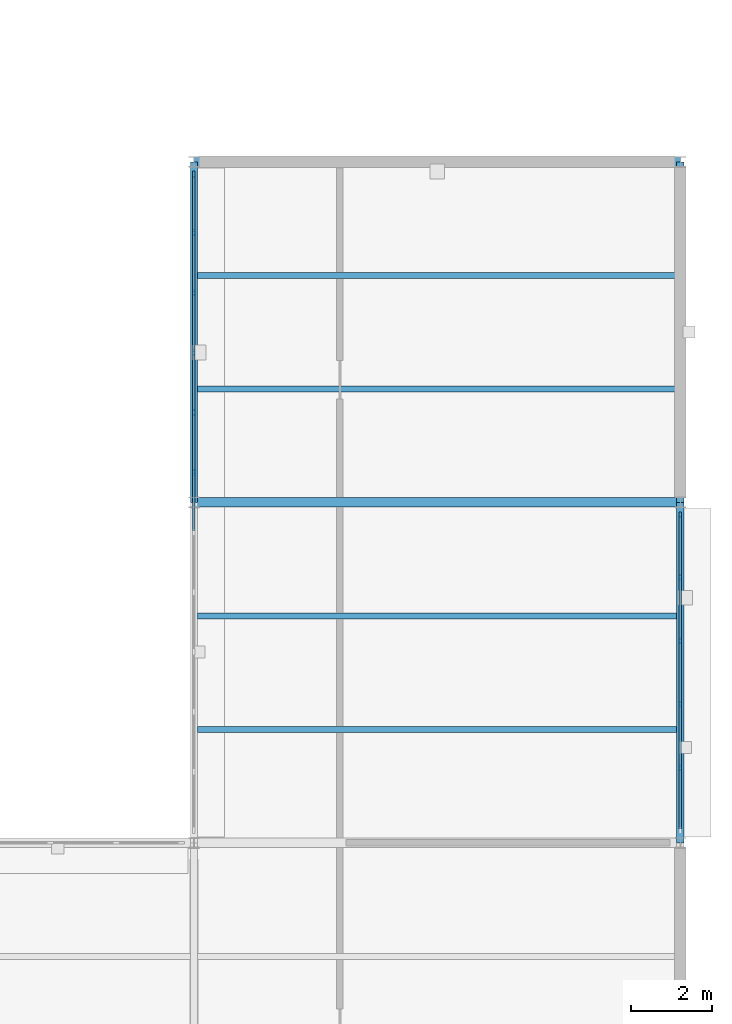
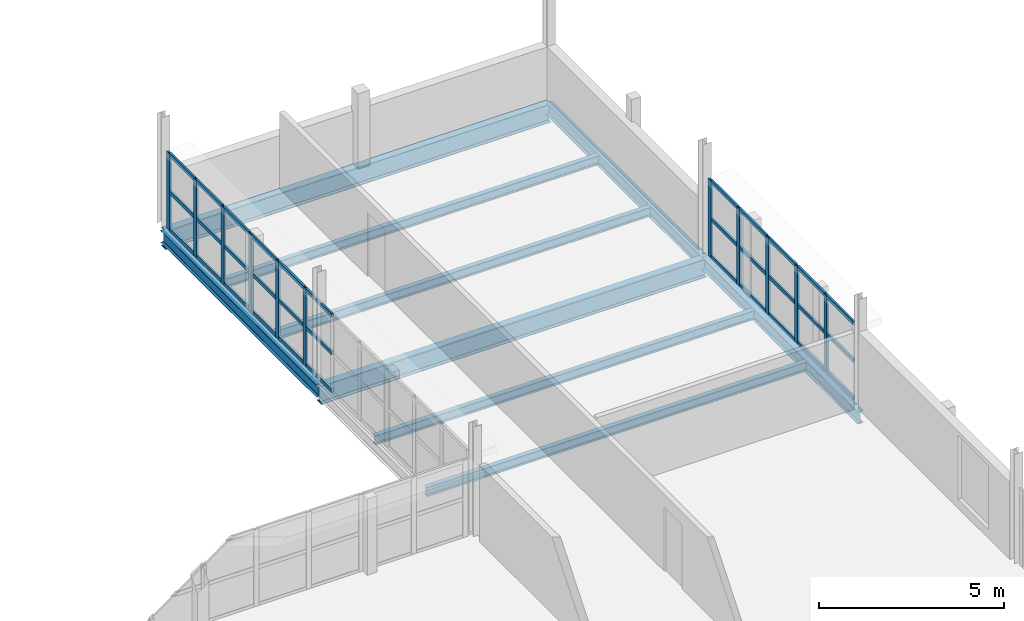
# One storey, part 44 of 79: 44 members, 9 beams, 2 elements without a shape of their own.
"""IFC4 building model written with IfcOpenShell, lengths in metres."""

from ifc_helpers import new_model, si_unit, direction, frame, origin, origin_2d, place, context, subcontext, project, spatial, rectangle, i_section, extrude, material, layer, layer_set, material_profile, profile_set, type_object, element, aggregate, save


model = new_model("IFC4")

# Units and contexts
model_context = context("Model", 3, precision=1e-05, world=origin(), true_north=direction((0.0, 1.0)))
body_context = subcontext(model_context, "Body", "Model", "MODEL_VIEW")
ifc_project = project(units=[si_unit("LENGTHUNIT", "METRE"), si_unit("AREAUNIT", "SQUARE_METRE"), si_unit("VOLUMEUNIT", "CUBIC_METRE"), si_unit("PLANEANGLEUNIT", "RADIAN"), si_unit("MASSUNIT", "GRAM", prefix="KILO"), si_unit("THERMODYNAMICTEMPERATUREUNIT", "KELVIN"), si_unit("POWERUNIT", "WATT")], contexts=[model_context])

# Site, building, storey
site_placement = place(None, origin())
site = spatial("IfcSite", under=ifc_project, at=site_placement, CompositionType="ELEMENT")
building_placement = place(site_placement, origin())
building = spatial("IfcBuilding", under=site, at=building_placement, Name="Tembeka Court Mobility Hub", CompositionType="ELEMENT")
storey_placement = place(building_placement, frame((0.0, 0.0, 9.0)))
storey = spatial("IfcBuildingStorey", under=building, at=storey_placement, Name="L02", CompositionType="ELEMENT", Elevation=9.0)

# Beams
ifc_material_1 = material(Name="Steel S355", Category="steel")
ifc_material_profile_1 = material_profile(ifc_material_1, i_section(OverallWidth=0.177978515625, OverallDepth=0.406005859375, WebThickness=0.0078125, FlangeThickness=0.0126953125, FilletRadius=0.01025390625, at=origin_2d()), Name="UKB 406x178x60")
ifc_profile_set_1 = profile_set([ifc_material_profile_1], Name="Steel S355")
beam_type_1 = type_object("IfcBeamType", Name="BM-B02", PredefinedType="BEAM", material=ifc_profile_set_1)
beam_1_placement = place(storey_placement, frame((164.39990234375, 55.199951171875, -0.39306640625), z_axis=(0.0, 1.0, 0.0), x_axis=(-1.0, 0.0, 0.0)))
element("IfcBeam", 1, at=beam_1_placement, inside=storey, type_object=beam_type_1, Name="Beam B02 (BM-L02-Y1432)", PredefinedType="BEAM", context=body_context, shape_type="SweptSolid", body=[
    extrude(i_section(OverallWidth=0.177978515625, OverallDepth=0.406005859375, WebThickness=0.0078125, FlangeThickness=0.0126953125, FilletRadius=0.01025390625, at=origin_2d()), origin(), (0.0, 0.0, 1.0), 8.400146484375),
])
beam_2_placement = place(storey_placement, frame((176.39990234375, 46.800048828125, -0.39306640625), z_axis=(0.0, 1.0, 0.0), x_axis=(-1.0, 0.0, 0.0)))
element("IfcBeam", 2, at=beam_2_placement, inside=storey, type_object=beam_type_1, Name="Beam B02 (BM-L02-Y1437)", PredefinedType="BEAM", context=body_context, shape_type="SweptSolid", body=[
    extrude(i_section(OverallWidth=0.177978515625, OverallDepth=0.406005859375, WebThickness=0.0078125, FlangeThickness=0.0126953125, FilletRadius=0.01025390625, at=origin_2d()), origin(), (0.0, 0.0, 1.0), 8.39990234375),
])
beam_3_placement = place(storey_placement, frame((176.39990234375, 55.199951171875, -0.39306640625), z_axis=(0.0, 1.0, 0.0), x_axis=(-1.0, 0.0, 0.0)))
element("IfcBeam", 3, at=beam_3_placement, inside=storey, type_object=beam_type_1, Name="Beam B02 (BM-L02-Y1438)", PredefinedType="BEAM", context=body_context, shape_type="SweptSolid", body=[
    extrude(i_section(OverallWidth=0.177978515625, OverallDepth=0.406005859375, WebThickness=0.0078125, FlangeThickness=0.0126953125, FilletRadius=0.01025390625, at=origin_2d()), origin(), (0.0, 0.0, 1.0), 8.400146484375),
])
ifc_material_profile_2 = material_profile(ifc_material_1, i_section(OverallWidth=0.22900390625, OverallDepth=0.612060546875, WebThickness=0.011962890625, FlangeThickness=0.01953125, FilletRadius=0.0126953125, at=origin_2d()), Name="UKB 610x229x125")
ifc_profile_set_2 = profile_set([ifc_material_profile_2], Name="Steel S355")
beam_type_2 = type_object("IfcBeamType", Name="BM-G02", PredefinedType="USERDEFINED", material=ifc_profile_set_2)
for number, where, z_axis, x_axis, name in (
    (4, (164.39990234375, 55.199951171875, -0.49609375), (1.0, 0.0, 0.0), (0.0, 1.0, 0.0), "Beam G02 (BM-L02-X1250)"),
    (5, (164.39990234375, 63.60009765625, -0.49609375), (1.0, 0.0, 0.0), (0.0, 1.0, 0.0), "Beam G02 (BM-L02-X1262)"),
):
    element("IfcBeam", number, at=place(storey_placement, frame(where, z_axis=z_axis, x_axis=x_axis)), inside=storey, type_object=beam_type_2, Name=name, ObjectType="GIRDER", PredefinedType="USERDEFINED", context=body_context, shape_type="SweptSolid", body=[
        extrude(i_section(OverallWidth=0.22900390625, OverallDepth=0.612060546875, WebThickness=0.011962890625, FlangeThickness=0.01953125, FilletRadius=0.0126953125, at=origin_2d()), origin(), (0.0, 0.0, 1.0), 12.0),
    ])
ifc_material_profile_3 = material_profile(ifc_material_1, i_section(OverallWidth=0.14990234375, OverallDepth=0.300048828125, WebThickness=0.007080078125, FlangeThickness=0.0107421875, FilletRadius=0.014892578125, at=origin_2d()), Name="IPE 300")
ifc_profile_set_3 = profile_set([ifc_material_profile_3], Name="Steel S355")
beam_type_3 = type_object("IfcBeamType", Name="BM-J04", PredefinedType="JOIST", material=ifc_profile_set_3)
for number, where, z_axis, x_axis, name in (
    (6, (164.48388671875, 49.60009765625, -0.340087890625), (1.0, 0.0, 0.0), (0.0, 1.0, 0.0), "Beam J04 (JST-L02-1678)"),
    (7, (164.48388671875, 52.39990234375, -0.340087890625), (1.0, 0.0, 0.0), (0.0, 1.0, 0.0), "Beam J04 (JST-L02-1679)"),
    (8, (164.48388671875, 58.0, -0.340087890625), (1.0, 0.0, 0.0), (0.0, 1.0, 0.0), "Beam J04 (JST-L02-1680)"),
    (9, (164.48388671875, 60.800048828125, -0.340087890625), (1.0, 0.0, 0.0), (0.0, 1.0, 0.0), "Beam J04 (JST-L02-1681)"),
):
    element("IfcBeam", number, at=place(storey_placement, frame(where, z_axis=z_axis, x_axis=x_axis)), inside=storey, type_object=beam_type_3, Name=name, PredefinedType="JOIST", context=body_context, shape_type="SweptSolid", body=[
        extrude(i_section(OverallWidth=0.14990234375, OverallDepth=0.300048828125, WebThickness=0.007080078125, FlangeThickness=0.0107421875, FilletRadius=0.014892578125, at=origin_2d()), origin(), (0.0, 0.0, 1.0), 11.83203125),
    ])

# Curtain wall, members
ifc_material_2 = material(Name="Anodised aluminium 6063-T6", Category="aluminium")
ifc_layer_1 = layer(ifc_material_2, 0.159912109375)
ifc_layer_set_1 = layer_set([ifc_layer_1], Name="Anodised aluminium 6063-T6")
curtain_wall_type_1 = type_object("IfcCurtainWallType", Name="CW-SYS45", PredefinedType="USERDEFINED", material=ifc_layer_set_1)
curtain_wall_1_placement = place(storey_placement, origin())
curtain_wall_1 = element("IfcCurtainWall", 10, at=curtain_wall_1_placement, inside=storey, type_object=curtain_wall_type_1, Name="Unitised curtain wall CW45 (CW-L02-126)", ObjectType="UNITISED GLAZING", PredefinedType="USERDEFINED")
ifc_material_profile_4 = material_profile(ifc_material_2, rectangle(XDim=0.06494140625, YDim=0.159912109375, at=origin_2d()), Name="ALU-MUL 65x160")
ifc_profile_set_4 = profile_set([ifc_material_profile_4], Name="Anodised aluminium 6063-T6")
member_type_1 = type_object("IfcMemberType", Name="CW-MUL01", PredefinedType="MULLION", material=ifc_profile_set_4)
member_1_placement = place(storey_placement, frame((176.39990234375, 48.64794921875, 0.0), z_axis=(0.0, 0.0, 1.0), x_axis=(-1.0, 0.0, 0.0)))
member_1 = element("IfcMember", 11, at=member_1_placement, type_object=member_type_1, Name="CW45 mullion 2", PredefinedType="MULLION", context=body_context, shape_type="SweptSolid", body=[
    extrude(rectangle(XDim=0.06494140625, YDim=0.159912109375, at=origin_2d()), origin(), (0.0, 0.0, 1.0), 2.534912109375),
])
member_2_placement = place(storey_placement, frame((176.39990234375, 50.216064453125, 0.0), z_axis=(0.0, 0.0, 1.0), x_axis=(-1.0, 0.0, 0.0)))
member_2 = element("IfcMember", 12, at=member_2_placement, type_object=member_type_1, Name="CW45 mullion 3", PredefinedType="MULLION", context=body_context, shape_type="SweptSolid", body=[
    extrude(rectangle(XDim=0.06494140625, YDim=0.159912109375, at=origin_2d()), origin(), (0.0, 0.0, 1.0), 2.534912109375),
])
member_3_placement = place(storey_placement, frame((176.39990234375, 51.783935546875, 0.0), z_axis=(0.0, 0.0, 1.0), x_axis=(-1.0, 0.0, 0.0)))
member_3 = element("IfcMember", 13, at=member_3_placement, type_object=member_type_1, Name="CW45 mullion 4", PredefinedType="MULLION", context=body_context, shape_type="SweptSolid", body=[
    extrude(rectangle(XDim=0.06494140625, YDim=0.159912109375, at=origin_2d()), origin(), (0.0, 0.0, 1.0), 2.534912109375),
])
member_4_placement = place(storey_placement, frame((176.39990234375, 53.35205078125, 0.0), z_axis=(0.0, 0.0, 1.0), x_axis=(-1.0, 0.0, 0.0)))
member_4 = element("IfcMember", 14, at=member_4_placement, type_object=member_type_1, Name="CW45 mullion 5", PredefinedType="MULLION", context=body_context, shape_type="SweptSolid", body=[
    extrude(rectangle(XDim=0.06494140625, YDim=0.159912109375, at=origin_2d()), origin(), (0.0, 0.0, 1.0), 2.534912109375),
])
member_5_placement = place(storey_placement, frame((176.39990234375, 54.887451171875, 0.0), z_axis=(0.0, 0.0, 1.0), x_axis=(-1.0, 0.0, 0.0)))
member_5 = element("IfcMember", 15, at=member_5_placement, type_object=member_type_1, Name="CW45 mullion 6", PredefinedType="MULLION", context=body_context, shape_type="SweptSolid", body=[
    extrude(rectangle(XDim=0.06494140625, YDim=0.159912109375, at=origin_2d()), origin(), (0.0, 0.0, 1.0), 2.534912109375),
])

ifc_layer_2 = layer(ifc_material_2, 0.159912109375)
ifc_layer_set_2 = layer_set([ifc_layer_2], Name="Anodised aluminium 6063-T6")
curtain_wall_type_2 = type_object("IfcCurtainWallType", Name="CW-SYS46", PredefinedType="USERDEFINED", material=ifc_layer_set_2)
curtain_wall_2_placement = place(storey_placement, origin())
curtain_wall_2 = element("IfcCurtainWall", 16, at=curtain_wall_2_placement, inside=storey, type_object=curtain_wall_type_2, Name="Unitised curtain wall CW46 (CW-L02-127)", ObjectType="UNITISED GLAZING", PredefinedType="USERDEFINED")
member_6_placement = place(storey_placement, frame((164.39990234375, 55.938232421875, 0.0), z_axis=(0.0, 0.0, 1.0), x_axis=(-1.0, 0.0, 0.0)))
member_6 = element("IfcMember", 17, at=member_6_placement, type_object=member_type_1, Name="CW46 mullion 7", PredefinedType="MULLION", context=body_context, shape_type="SweptSolid", body=[
    extrude(rectangle(XDim=0.06494140625, YDim=0.159912109375, at=origin_2d()), origin(), (0.0, 0.0, 1.0), 2.534912109375),
])
member_7_placement = place(storey_placement, frame((164.39990234375, 57.41455078125, 0.0), z_axis=(0.0, 0.0, 1.0), x_axis=(-1.0, 0.0, 0.0)))
member_7 = element("IfcMember", 18, at=member_7_placement, type_object=member_type_1, Name="CW46 mullion 8", PredefinedType="MULLION", context=body_context, shape_type="SweptSolid", body=[
    extrude(rectangle(XDim=0.06494140625, YDim=0.159912109375, at=origin_2d()), origin(), (0.0, 0.0, 1.0), 2.534912109375),
])
member_8_placement = place(storey_placement, frame((164.39990234375, 58.890869140625, 0.0), z_axis=(0.0, 0.0, 1.0), x_axis=(-1.0, 0.0, 0.0)))
member_8 = element("IfcMember", 19, at=member_8_placement, type_object=member_type_1, Name="CW46 mullion 9", PredefinedType="MULLION", context=body_context, shape_type="SweptSolid", body=[
    extrude(rectangle(XDim=0.06494140625, YDim=0.159912109375, at=origin_2d()), origin(), (0.0, 0.0, 1.0), 2.534912109375),
])
member_9_placement = place(storey_placement, frame((164.39990234375, 60.3671875, 0.0), z_axis=(0.0, 0.0, 1.0), x_axis=(-1.0, 0.0, 0.0)))
member_9 = element("IfcMember", 20, at=member_9_placement, type_object=member_type_1, Name="CW46 mullion 10", PredefinedType="MULLION", context=body_context, shape_type="SweptSolid", body=[
    extrude(rectangle(XDim=0.06494140625, YDim=0.159912109375, at=origin_2d()), origin(), (0.0, 0.0, 1.0), 2.534912109375),
])
member_10_placement = place(storey_placement, frame((164.39990234375, 61.84375, 0.0), z_axis=(0.0, 0.0, 1.0), x_axis=(-1.0, 0.0, 0.0)))
member_10 = element("IfcMember", 21, at=member_10_placement, type_object=member_type_1, Name="CW46 mullion 11", PredefinedType="MULLION", context=body_context, shape_type="SweptSolid", body=[
    extrude(rectangle(XDim=0.06494140625, YDim=0.159912109375, at=origin_2d()), origin(), (0.0, 0.0, 1.0), 2.534912109375),
])
member_11_placement = place(storey_placement, frame((164.39990234375, 63.28759765625, 0.0), z_axis=(0.0, 0.0, 1.0), x_axis=(-1.0, 0.0, 0.0)))
member_11 = element("IfcMember", 22, at=member_11_placement, type_object=member_type_1, Name="CW46 mullion 12", PredefinedType="MULLION", context=body_context, shape_type="SweptSolid", body=[
    extrude(rectangle(XDim=0.06494140625, YDim=0.159912109375, at=origin_2d()), origin(), (0.0, 0.0, 1.0), 2.534912109375),
])

# Member
ifc_material_profile_5 = material_profile(ifc_material_2, rectangle(XDim=0.06494140625, YDim=0.1201171875, at=origin_2d()), Name="ALU-TRN 65x120")
ifc_profile_set_5 = profile_set([ifc_material_profile_5], Name="Anodised aluminium 6063-T6")
member_type_2 = type_object("IfcMemberType", Name="CW-TRN01", PredefinedType="USERDEFINED", material=ifc_profile_set_5)
member_12_placement = place(storey_placement, frame((176.39990234375, 47.14501953125, 0.032470703125), z_axis=(0.0, 1.0, 0.0), x_axis=(-1.0, 0.0, 0.0)))
member_12 = element("IfcMember", 23, at=member_12_placement, type_object=member_type_2, Name="CW45 transom 1.1", ObjectType="TRANSOM", PredefinedType="USERDEFINED", context=body_context, shape_type="SweptSolid", body=[
    extrude(rectangle(XDim=0.06494140625, YDim=0.1201171875, at=origin_2d()), origin(), (0.0, 0.0, 1.0), 1.470458984375),
])

member_13_placement = place(storey_placement, frame((176.39990234375, 47.14501953125, 1.267578125), z_axis=(0.0, 1.0, 0.0), x_axis=(-1.0, 0.0, 0.0)))
member_13 = element("IfcMember", 24, at=member_13_placement, type_object=member_type_2, Name="CW45 transom 1.2", ObjectType="TRANSOM", PredefinedType="USERDEFINED", context=body_context, shape_type="SweptSolid", body=[
    extrude(rectangle(XDim=0.06494140625, YDim=0.1201171875, at=origin_2d()), origin(), (0.0, 0.0, 1.0), 1.470458984375),
])

member_14_placement = place(storey_placement, frame((176.39990234375, 47.14501953125, 2.50244140625), z_axis=(0.0, 1.0, 0.0), x_axis=(-1.0, 0.0, 0.0)))
member_14 = element("IfcMember", 25, at=member_14_placement, type_object=member_type_2, Name="CW45 transom 1.3", ObjectType="TRANSOM", PredefinedType="USERDEFINED", context=body_context, shape_type="SweptSolid", body=[
    extrude(rectangle(XDim=0.06494140625, YDim=0.1201171875, at=origin_2d()), origin(), (0.0, 0.0, 1.0), 1.470458984375),
])

member_15_placement = place(storey_placement, frame((176.39990234375, 48.680419921875, 0.032470703125), z_axis=(0.0, 1.0, 0.0), x_axis=(-1.0, 0.0, 0.0)))
member_15 = element("IfcMember", 26, at=member_15_placement, type_object=member_type_2, Name="CW45 transom 2.1", ObjectType="TRANSOM", PredefinedType="USERDEFINED", context=body_context, shape_type="SweptSolid", body=[
    extrude(rectangle(XDim=0.06494140625, YDim=0.1201171875, at=origin_2d()), origin(), (0.0, 0.0, 1.0), 1.503173828125),
])

member_16_placement = place(storey_placement, frame((176.39990234375, 48.680419921875, 1.267578125), z_axis=(0.0, 1.0, 0.0), x_axis=(-1.0, 0.0, 0.0)))
member_16 = element("IfcMember", 27, at=member_16_placement, type_object=member_type_2, Name="CW45 transom 2.2", ObjectType="TRANSOM", PredefinedType="USERDEFINED", context=body_context, shape_type="SweptSolid", body=[
    extrude(rectangle(XDim=0.06494140625, YDim=0.1201171875, at=origin_2d()), origin(), (0.0, 0.0, 1.0), 1.503173828125),
])

member_17_placement = place(storey_placement, frame((176.39990234375, 48.680419921875, 2.50244140625), z_axis=(0.0, 1.0, 0.0), x_axis=(-1.0, 0.0, 0.0)))
member_17 = element("IfcMember", 28, at=member_17_placement, type_object=member_type_2, Name="CW45 transom 2.3", ObjectType="TRANSOM", PredefinedType="USERDEFINED", context=body_context, shape_type="SweptSolid", body=[
    extrude(rectangle(XDim=0.06494140625, YDim=0.1201171875, at=origin_2d()), origin(), (0.0, 0.0, 1.0), 1.503173828125),
])

member_18_placement = place(storey_placement, frame((176.39990234375, 50.24853515625, 0.032470703125), z_axis=(0.0, 1.0, 0.0), x_axis=(-1.0, 0.0, 0.0)))
member_18 = element("IfcMember", 29, at=member_18_placement, type_object=member_type_2, Name="CW45 transom 3.1", ObjectType="TRANSOM", PredefinedType="USERDEFINED", context=body_context, shape_type="SweptSolid", body=[
    extrude(rectangle(XDim=0.06494140625, YDim=0.1201171875, at=origin_2d()), origin(), (0.0, 0.0, 1.0), 1.5029296875),
])

member_19_placement = place(storey_placement, frame((176.39990234375, 50.24853515625, 1.267578125), z_axis=(0.0, 1.0, 0.0), x_axis=(-1.0, 0.0, 0.0)))
member_19 = element("IfcMember", 30, at=member_19_placement, type_object=member_type_2, Name="CW45 transom 3.2", ObjectType="TRANSOM", PredefinedType="USERDEFINED", context=body_context, shape_type="SweptSolid", body=[
    extrude(rectangle(XDim=0.06494140625, YDim=0.1201171875, at=origin_2d()), origin(), (0.0, 0.0, 1.0), 1.5029296875),
])

member_20_placement = place(storey_placement, frame((176.39990234375, 50.24853515625, 2.50244140625), z_axis=(0.0, 1.0, 0.0), x_axis=(-1.0, 0.0, 0.0)))
member_20 = element("IfcMember", 31, at=member_20_placement, type_object=member_type_2, Name="CW45 transom 3.3", ObjectType="TRANSOM", PredefinedType="USERDEFINED", context=body_context, shape_type="SweptSolid", body=[
    extrude(rectangle(XDim=0.06494140625, YDim=0.1201171875, at=origin_2d()), origin(), (0.0, 0.0, 1.0), 1.5029296875),
])

member_21_placement = place(storey_placement, frame((176.39990234375, 51.81640625, 0.032470703125), z_axis=(0.0, 1.0, 0.0), x_axis=(-1.0, 0.0, 0.0)))
member_21 = element("IfcMember", 32, at=member_21_placement, type_object=member_type_2, Name="CW45 transom 4.1", ObjectType="TRANSOM", PredefinedType="USERDEFINED", context=body_context, shape_type="SweptSolid", body=[
    extrude(rectangle(XDim=0.06494140625, YDim=0.1201171875, at=origin_2d()), origin(), (0.0, 0.0, 1.0), 1.503173828125),
])

member_22_placement = place(storey_placement, frame((176.39990234375, 51.81640625, 1.267578125), z_axis=(0.0, 1.0, 0.0), x_axis=(-1.0, 0.0, 0.0)))
member_22 = element("IfcMember", 33, at=member_22_placement, type_object=member_type_2, Name="CW45 transom 4.2", ObjectType="TRANSOM", PredefinedType="USERDEFINED", context=body_context, shape_type="SweptSolid", body=[
    extrude(rectangle(XDim=0.06494140625, YDim=0.1201171875, at=origin_2d()), origin(), (0.0, 0.0, 1.0), 1.503173828125),
])

member_23_placement = place(storey_placement, frame((176.39990234375, 51.81640625, 2.50244140625), z_axis=(0.0, 1.0, 0.0), x_axis=(-1.0, 0.0, 0.0)))
member_23 = element("IfcMember", 34, at=member_23_placement, type_object=member_type_2, Name="CW45 transom 4.3", ObjectType="TRANSOM", PredefinedType="USERDEFINED", context=body_context, shape_type="SweptSolid", body=[
    extrude(rectangle(XDim=0.06494140625, YDim=0.1201171875, at=origin_2d()), origin(), (0.0, 0.0, 1.0), 1.503173828125),
])

member_24_placement = place(storey_placement, frame((176.39990234375, 53.384521484375, 0.032470703125), z_axis=(0.0, 1.0, 0.0), x_axis=(-1.0, 0.0, 0.0)))
member_24 = element("IfcMember", 35, at=member_24_placement, type_object=member_type_2, Name="CW45 transom 5.1", ObjectType="TRANSOM", PredefinedType="USERDEFINED", context=body_context, shape_type="SweptSolid", body=[
    extrude(rectangle(XDim=0.06494140625, YDim=0.1201171875, at=origin_2d()), origin(), (0.0, 0.0, 1.0), 1.470458984375),
])

member_25_placement = place(storey_placement, frame((176.39990234375, 53.384521484375, 1.267578125), z_axis=(0.0, 1.0, 0.0), x_axis=(-1.0, 0.0, 0.0)))
member_25 = element("IfcMember", 36, at=member_25_placement, type_object=member_type_2, Name="CW45 transom 5.2", ObjectType="TRANSOM", PredefinedType="USERDEFINED", context=body_context, shape_type="SweptSolid", body=[
    extrude(rectangle(XDim=0.06494140625, YDim=0.1201171875, at=origin_2d()), origin(), (0.0, 0.0, 1.0), 1.470458984375),
])

member_26_placement = place(storey_placement, frame((176.39990234375, 53.384521484375, 2.50244140625), z_axis=(0.0, 1.0, 0.0), x_axis=(-1.0, 0.0, 0.0)))
member_26 = element("IfcMember", 37, at=member_26_placement, type_object=member_type_2, Name="CW45 transom 5.3", ObjectType="TRANSOM", PredefinedType="USERDEFINED", context=body_context, shape_type="SweptSolid", body=[
    extrude(rectangle(XDim=0.06494140625, YDim=0.1201171875, at=origin_2d()), origin(), (0.0, 0.0, 1.0), 1.470458984375),
])

aggregate(curtain_wall_1, [member_1, member_2, member_3, member_4, member_5, member_12, member_13, member_14, member_15, member_16, member_17, member_18, member_19, member_20, member_21, member_22, member_23, member_24, member_25, member_26])

member_27_placement = place(storey_placement, frame((164.39990234375, 54.494384765625, 0.032470703125), z_axis=(0.0, 1.0, 0.0), x_axis=(-1.0, 0.0, 0.0)))
member_27 = element("IfcMember", 38, at=member_27_placement, type_object=member_type_2, Name="CW46 transom 6.1", ObjectType="TRANSOM", PredefinedType="USERDEFINED", context=body_context, shape_type="SweptSolid", body=[
    extrude(rectangle(XDim=0.06494140625, YDim=0.1201171875, at=origin_2d()), origin(), (0.0, 0.0, 1.0), 1.411376953125),
])

member_28_placement = place(storey_placement, frame((164.39990234375, 54.494384765625, 1.267578125), z_axis=(0.0, 1.0, 0.0), x_axis=(-1.0, 0.0, 0.0)))
member_28 = element("IfcMember", 39, at=member_28_placement, type_object=member_type_2, Name="CW46 transom 6.2", ObjectType="TRANSOM", PredefinedType="USERDEFINED", context=body_context, shape_type="SweptSolid", body=[
    extrude(rectangle(XDim=0.06494140625, YDim=0.1201171875, at=origin_2d()), origin(), (0.0, 0.0, 1.0), 1.411376953125),
])

member_29_placement = place(storey_placement, frame((164.39990234375, 54.494384765625, 2.50244140625), z_axis=(0.0, 1.0, 0.0), x_axis=(-1.0, 0.0, 0.0)))
member_29 = element("IfcMember", 40, at=member_29_placement, type_object=member_type_2, Name="CW46 transom 6.3", ObjectType="TRANSOM", PredefinedType="USERDEFINED", context=body_context, shape_type="SweptSolid", body=[
    extrude(rectangle(XDim=0.06494140625, YDim=0.1201171875, at=origin_2d()), origin(), (0.0, 0.0, 1.0), 1.411376953125),
])

member_30_placement = place(storey_placement, frame((164.39990234375, 55.970703125, 0.032470703125), z_axis=(0.0, 1.0, 0.0), x_axis=(-1.0, 0.0, 0.0)))
member_30 = element("IfcMember", 41, at=member_30_placement, type_object=member_type_2, Name="CW46 transom 7.1", ObjectType="TRANSOM", PredefinedType="USERDEFINED", context=body_context, shape_type="SweptSolid", body=[
    extrude(rectangle(XDim=0.06494140625, YDim=0.1201171875, at=origin_2d()), origin(), (0.0, 0.0, 1.0), 1.411376953125),
])

member_31_placement = place(storey_placement, frame((164.39990234375, 55.970703125, 1.267578125), z_axis=(0.0, 1.0, 0.0), x_axis=(-1.0, 0.0, 0.0)))
member_31 = element("IfcMember", 42, at=member_31_placement, type_object=member_type_2, Name="CW46 transom 7.2", ObjectType="TRANSOM", PredefinedType="USERDEFINED", context=body_context, shape_type="SweptSolid", body=[
    extrude(rectangle(XDim=0.06494140625, YDim=0.1201171875, at=origin_2d()), origin(), (0.0, 0.0, 1.0), 1.411376953125),
])

member_32_placement = place(storey_placement, frame((164.39990234375, 55.970703125, 2.50244140625), z_axis=(0.0, 1.0, 0.0), x_axis=(-1.0, 0.0, 0.0)))
member_32 = element("IfcMember", 43, at=member_32_placement, type_object=member_type_2, Name="CW46 transom 7.3", ObjectType="TRANSOM", PredefinedType="USERDEFINED", context=body_context, shape_type="SweptSolid", body=[
    extrude(rectangle(XDim=0.06494140625, YDim=0.1201171875, at=origin_2d()), origin(), (0.0, 0.0, 1.0), 1.411376953125),
])

member_33_placement = place(storey_placement, frame((164.39990234375, 57.447021484375, 0.032470703125), z_axis=(0.0, 1.0, 0.0), x_axis=(-1.0, 0.0, 0.0)))
member_33 = element("IfcMember", 44, at=member_33_placement, type_object=member_type_2, Name="CW46 transom 8.1", ObjectType="TRANSOM", PredefinedType="USERDEFINED", context=body_context, shape_type="SweptSolid", body=[
    extrude(rectangle(XDim=0.06494140625, YDim=0.1201171875, at=origin_2d()), origin(), (0.0, 0.0, 1.0), 1.411376953125),
])

member_34_placement = place(storey_placement, frame((164.39990234375, 57.447021484375, 1.267578125), z_axis=(0.0, 1.0, 0.0), x_axis=(-1.0, 0.0, 0.0)))
member_34 = element("IfcMember", 45, at=member_34_placement, type_object=member_type_2, Name="CW46 transom 8.2", ObjectType="TRANSOM", PredefinedType="USERDEFINED", context=body_context, shape_type="SweptSolid", body=[
    extrude(rectangle(XDim=0.06494140625, YDim=0.1201171875, at=origin_2d()), origin(), (0.0, 0.0, 1.0), 1.411376953125),
])

member_35_placement = place(storey_placement, frame((164.39990234375, 57.447021484375, 2.50244140625), z_axis=(0.0, 1.0, 0.0), x_axis=(-1.0, 0.0, 0.0)))
member_35 = element("IfcMember", 46, at=member_35_placement, type_object=member_type_2, Name="CW46 transom 8.3", ObjectType="TRANSOM", PredefinedType="USERDEFINED", context=body_context, shape_type="SweptSolid", body=[
    extrude(rectangle(XDim=0.06494140625, YDim=0.1201171875, at=origin_2d()), origin(), (0.0, 0.0, 1.0), 1.411376953125),
])

member_36_placement = place(storey_placement, frame((164.39990234375, 58.92333984375, 0.032470703125), z_axis=(0.0, 1.0, 0.0), x_axis=(-1.0, 0.0, 0.0)))
member_36 = element("IfcMember", 47, at=member_36_placement, type_object=member_type_2, Name="CW46 transom 9.1", ObjectType="TRANSOM", PredefinedType="USERDEFINED", context=body_context, shape_type="SweptSolid", body=[
    extrude(rectangle(XDim=0.06494140625, YDim=0.1201171875, at=origin_2d()), origin(), (0.0, 0.0, 1.0), 1.411376953125),
])

member_37_placement = place(storey_placement, frame((164.39990234375, 58.92333984375, 1.267578125), z_axis=(0.0, 1.0, 0.0), x_axis=(-1.0, 0.0, 0.0)))
member_37 = element("IfcMember", 48, at=member_37_placement, type_object=member_type_2, Name="CW46 transom 9.2", ObjectType="TRANSOM", PredefinedType="USERDEFINED", context=body_context, shape_type="SweptSolid", body=[
    extrude(rectangle(XDim=0.06494140625, YDim=0.1201171875, at=origin_2d()), origin(), (0.0, 0.0, 1.0), 1.411376953125),
])

member_38_placement = place(storey_placement, frame((164.39990234375, 58.92333984375, 2.50244140625), z_axis=(0.0, 1.0, 0.0), x_axis=(-1.0, 0.0, 0.0)))
member_38 = element("IfcMember", 49, at=member_38_placement, type_object=member_type_2, Name="CW46 transom 9.3", ObjectType="TRANSOM", PredefinedType="USERDEFINED", context=body_context, shape_type="SweptSolid", body=[
    extrude(rectangle(XDim=0.06494140625, YDim=0.1201171875, at=origin_2d()), origin(), (0.0, 0.0, 1.0), 1.411376953125),
])

member_39_placement = place(storey_placement, frame((164.39990234375, 60.399658203125, 0.032470703125), z_axis=(0.0, 1.0, 0.0), x_axis=(-1.0, 0.0, 0.0)))
member_39 = element("IfcMember", 50, at=member_39_placement, type_object=member_type_2, Name="CW46 transom 10.1", ObjectType="TRANSOM", PredefinedType="USERDEFINED", context=body_context, shape_type="SweptSolid", body=[
    extrude(rectangle(XDim=0.06494140625, YDim=0.1201171875, at=origin_2d()), origin(), (0.0, 0.0, 1.0), 1.411376953125),
])

member_40_placement = place(storey_placement, frame((164.39990234375, 60.399658203125, 1.267578125), z_axis=(0.0, 1.0, 0.0), x_axis=(-1.0, 0.0, 0.0)))
member_40 = element("IfcMember", 51, at=member_40_placement, type_object=member_type_2, Name="CW46 transom 10.2", ObjectType="TRANSOM", PredefinedType="USERDEFINED", context=body_context, shape_type="SweptSolid", body=[
    extrude(rectangle(XDim=0.06494140625, YDim=0.1201171875, at=origin_2d()), origin(), (0.0, 0.0, 1.0), 1.411376953125),
])

member_41_placement = place(storey_placement, frame((164.39990234375, 60.399658203125, 2.50244140625), z_axis=(0.0, 1.0, 0.0), x_axis=(-1.0, 0.0, 0.0)))
member_41 = element("IfcMember", 52, at=member_41_placement, type_object=member_type_2, Name="CW46 transom 10.3", ObjectType="TRANSOM", PredefinedType="USERDEFINED", context=body_context, shape_type="SweptSolid", body=[
    extrude(rectangle(XDim=0.06494140625, YDim=0.1201171875, at=origin_2d()), origin(), (0.0, 0.0, 1.0), 1.411376953125),
])

member_42_placement = place(storey_placement, frame((164.39990234375, 61.876220703125, 0.032470703125), z_axis=(0.0, 1.0, 0.0), x_axis=(-1.0, 0.0, 0.0)))
member_42 = element("IfcMember", 53, at=member_42_placement, type_object=member_type_2, Name="CW46 transom 11.1", ObjectType="TRANSOM", PredefinedType="USERDEFINED", context=body_context, shape_type="SweptSolid", body=[
    extrude(rectangle(XDim=0.06494140625, YDim=0.1201171875, at=origin_2d()), origin(), (0.0, 0.0, 1.0), 1.378662109375),
])

member_43_placement = place(storey_placement, frame((164.39990234375, 61.876220703125, 1.267578125), z_axis=(0.0, 1.0, 0.0), x_axis=(-1.0, 0.0, 0.0)))
member_43 = element("IfcMember", 54, at=member_43_placement, type_object=member_type_2, Name="CW46 transom 11.2", ObjectType="TRANSOM", PredefinedType="USERDEFINED", context=body_context, shape_type="SweptSolid", body=[
    extrude(rectangle(XDim=0.06494140625, YDim=0.1201171875, at=origin_2d()), origin(), (0.0, 0.0, 1.0), 1.378662109375),
])

member_44_placement = place(storey_placement, frame((164.39990234375, 61.876220703125, 2.50244140625), z_axis=(0.0, 1.0, 0.0), x_axis=(-1.0, 0.0, 0.0)))
member_44 = element("IfcMember", 55, at=member_44_placement, type_object=member_type_2, Name="CW46 transom 11.3", ObjectType="TRANSOM", PredefinedType="USERDEFINED", context=body_context, shape_type="SweptSolid", body=[
    extrude(rectangle(XDim=0.06494140625, YDim=0.1201171875, at=origin_2d()), origin(), (0.0, 0.0, 1.0), 1.378662109375),
])

aggregate(curtain_wall_2, [member_6, member_7, member_8, member_9, member_10, member_11, member_27, member_28, member_29, member_30, member_31, member_32, member_33, member_34, member_35, member_36, member_37, member_38, member_39, member_40, member_41, member_42, member_43, member_44])

save(model, "model.ifc")
